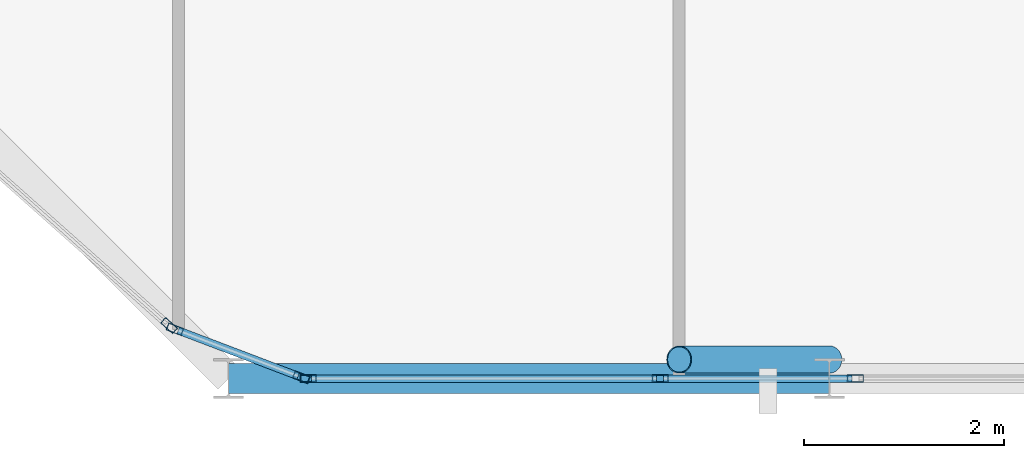
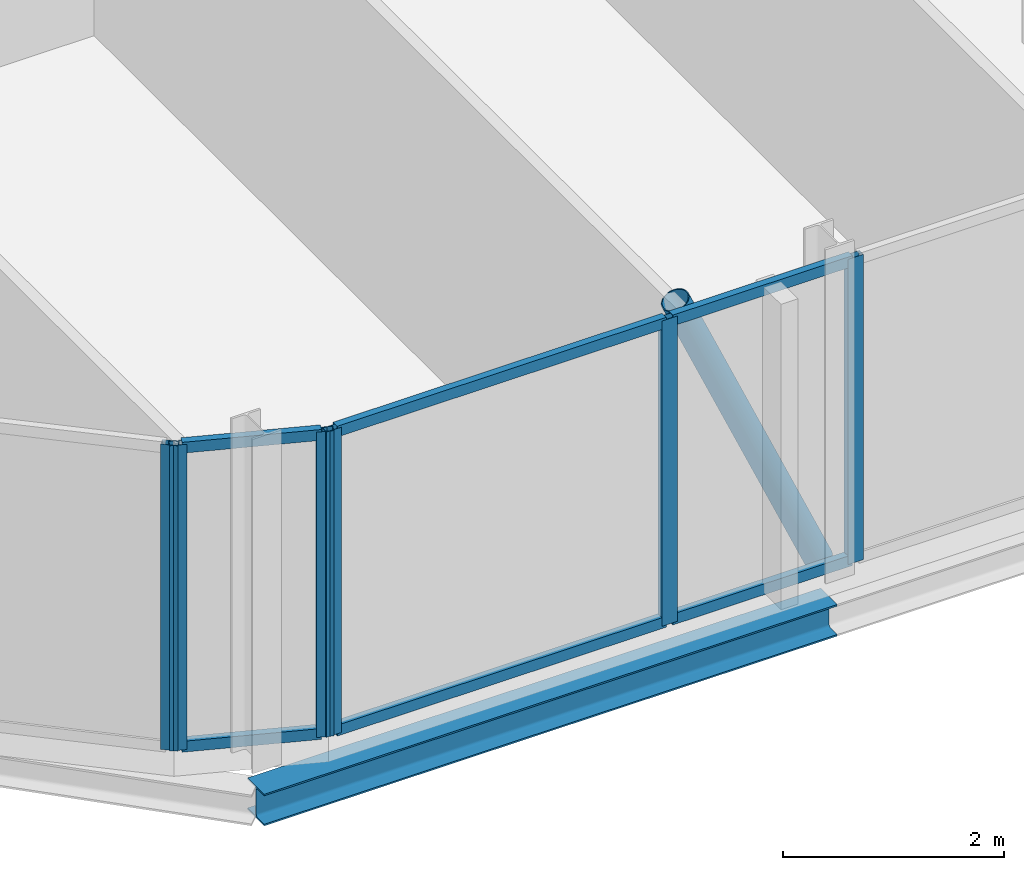
# One storey, part 6 of 27: 13 members, 1 beam, 5 elements without a shape of their own.
"""IFC4 building model written with IfcOpenShell, lengths in metres."""

from ifc_helpers import new_model, si_unit, direction, frame, origin, origin_2d, place, context, subcontext, project, spatial, hollow_rectangle, hollow_circle, i_section, extrude, material, layer, layer_set, material_profile, profile_set, type_object, element, aggregate, save


model = new_model("IFC4")

# Units and contexts
model_context = context("Model", 3, precision=1e-05, world=origin(), true_north=direction((0.0, 1.0)))
body_context = subcontext(model_context, "Body", "Model", "MODEL_VIEW")
ifc_project = project(units=[si_unit("LENGTHUNIT", "METRE"), si_unit("AREAUNIT", "SQUARE_METRE"), si_unit("VOLUMEUNIT", "CUBIC_METRE"), si_unit("PLANEANGLEUNIT", "RADIAN"), si_unit("MASSUNIT", "GRAM", prefix="KILO")], contexts=[model_context])

# Site, building, storey
site_placement = place(None, origin())
site = spatial("IfcSite", under=ifc_project, at=site_placement, CompositionType="ELEMENT")
building_placement = place(site_placement, origin())
building = spatial("IfcBuilding", under=site, at=building_placement, Name="Keshet Zoharim Tower", CompositionType="ELEMENT")
storey_placement = place(building_placement, frame((0.0, 0.0, 295.39990234375)))
storey = spatial("IfcBuildingStorey", under=building, at=storey_placement, Name="L74", CompositionType="ELEMENT", Elevation=295.39990234375)

# Beam
ifc_material_1 = material(Name="Steel S355", Category="steel")
ifc_material_profile_1 = material_profile(ifc_material_1, i_section(OverallWidth=0.300048828125, OverallDepth=0.35009765625, WebThickness=0.010009765625, FlangeThickness=0.017578125, FilletRadius=0.027099609375, at=origin_2d()), Name="HEA360")
ifc_profile_set_1 = profile_set([ifc_material_profile_1], Name="Steel S355")
beam_type = type_object("IfcBeamType", Name="BM-PRI-HA360", PredefinedType="BEAM", material=ifc_profile_set_1)
beam_placement = place(storey_placement, frame((21.0, 6.699951171875, -0.48486328125), z_axis=(1.0, 0.0, 0.0), x_axis=(0.0, 1.0, 0.0)))
element("IfcBeam", 1, at=beam_placement, inside=storey, type_object=beam_type, Name="L74 Primary Girder X-001", PredefinedType="BEAM", context=body_context, shape_type="SweptSolid", body=[
    extrude(i_section(OverallWidth=0.300048828125, OverallDepth=0.35009765625, WebThickness=0.010009765625, FlangeThickness=0.017578125, FilletRadius=0.027099609375, at=origin_2d()), origin(), (0.0, 0.0, 1.0), 6.0),
])

# Curtain wall, member
ifc_material_2 = material(Name="Aluminium 6063-T6", Category="aluminium")
ifc_layer = layer(ifc_material_2, 0.260009765625)
ifc_layer_set = layer_set([ifc_layer], Name="Aluminium 6063-T6")
curtain_wall_type = type_object("IfcCurtainWallType", Name="CW-SYS-06", PredefinedType="NOTDEFINED", material=ifc_layer_set)
curtain_wall_1_placement = place(storey_placement, origin())
curtain_wall_1 = element("IfcCurtainWall", 2, at=curtain_wall_1_placement, inside=storey, type_object=curtain_wall_type, Name="L74 Unitised Curtain Wall 14", PredefinedType="NOTDEFINED")
ifc_material_profile_2 = material_profile(ifc_material_2, hollow_rectangle(XDim=0.074951171875, YDim=0.159912109375, WallThickness=0.00390625, at=origin_2d()), Name="MUL-75x160")
ifc_profile_set_2 = profile_set([ifc_material_profile_2], Name="Aluminium 6063-T6")
member_type_1 = type_object("IfcMemberType", Name="CWM-M15", PredefinedType="MULLION", material=ifc_profile_set_2)
member_1_placement = place(storey_placement, frame((27.259765625, 6.699951171875, 0.0), z_axis=(0.0, 0.0, 1.0), x_axis=(0.0, -1.0, 0.0)))
member_1 = element("IfcMember", 3, at=member_1_placement, type_object=member_type_1, Name="CW-06 mullion 2", PredefinedType="MULLION", context=body_context, shape_type="SweptSolid", body=[
    extrude(hollow_rectangle(XDim=0.074951171875, YDim=0.159912109375, WallThickness=0.00390625, at=origin_2d()), origin(), (0.0, 0.0, 1.0), 3.380126953125),
])
aggregate(curtain_wall_1, [member_1])

curtain_wall_2_placement = place(storey_placement, origin())
curtain_wall_2 = element("IfcCurtainWall", 4, at=curtain_wall_2_placement, inside=storey, type_object=curtain_wall_type, Name="L74 Unitised Curtain Wall 14 Part 2", PredefinedType="NOTDEFINED")
member_2_placement = place(storey_placement, frame((25.310302734375, 6.699951171875, 0.0), z_axis=(0.0, 0.0, 1.0), x_axis=(0.0, -1.0, 0.0)))
member_2 = element("IfcMember", 5, at=member_2_placement, type_object=member_type_1, Name="CW-06 mullion 2", PredefinedType="MULLION", context=body_context, shape_type="SweptSolid", body=[
    extrude(hollow_rectangle(XDim=0.074951171875, YDim=0.159912109375, WallThickness=0.00390625, at=origin_2d()), origin(), (0.0, 0.0, 1.0), 3.380126953125),
])

curtain_wall_3_placement = place(storey_placement, origin())
curtain_wall_3 = element("IfcCurtainWall", 6, at=curtain_wall_3_placement, inside=storey, type_object=curtain_wall_type, Name="L74 Unitised Curtain Wall 14 Part 3", PredefinedType="NOTDEFINED")
member_3_placement = place(storey_placement, frame((21.794921875, 6.699951171875, 0.0), z_axis=(0.0, 0.0, 1.0), x_axis=(0.0, -1.0, 0.0)))
member_3 = element("IfcMember", 7, at=member_3_placement, type_object=member_type_1, Name="CW-06 mullion 2", PredefinedType="MULLION", context=body_context, shape_type="SweptSolid", body=[
    extrude(hollow_rectangle(XDim=0.074951171875, YDim=0.159912109375, WallThickness=0.00390625, at=origin_2d()), origin(), (0.0, 0.0, 1.0), 3.380126953125),
])

# Curtain wall, members
curtain_wall_4_placement = place(storey_placement, origin())
curtain_wall_4 = element("IfcCurtainWall", 8, at=curtain_wall_4_placement, inside=storey, type_object=curtain_wall_type, Name="L74 Unitised Curtain Wall 15", PredefinedType="NOTDEFINED")
member_4_placement = place(storey_placement, frame((21.727294921875, 6.71240234375, 0.0), z_axis=(0.0, 0.0, 1.0), x_axis=(-0.355439161326, -0.934699418314, 0.0)))
member_4 = element("IfcMember", 9, at=member_4_placement, type_object=member_type_1, Name="CW-06 mullion 1", PredefinedType="MULLION", context=body_context, shape_type="SweptSolid", body=[
    extrude(hollow_rectangle(XDim=0.074951171875, YDim=0.159912109375, WallThickness=0.00390625, at=origin_2d()), origin(), (0.0, 0.0, 1.0), 3.380126953125),
])
member_5_placement = place(storey_placement, frame((20.464599609375, 7.192626953125, 0.0), z_axis=(0.0, 0.0, 1.0), x_axis=(-0.355439161326, -0.934699418314, 0.0)))
member_5 = element("IfcMember", 10, at=member_5_placement, type_object=member_type_1, Name="CW-06 mullion 2", PredefinedType="MULLION", context=body_context, shape_type="SweptSolid", body=[
    extrude(hollow_rectangle(XDim=0.074951171875, YDim=0.159912109375, WallThickness=0.00390625, at=origin_2d()), origin(), (0.0, 0.0, 1.0), 3.380126953125),
])

# Curtain wall, member
curtain_wall_5_placement = place(storey_placement, origin())
curtain_wall_5 = element("IfcCurtainWall", 11, at=curtain_wall_5_placement, inside=storey, type_object=curtain_wall_type, Name="L74 Unitised Curtain Wall 16", PredefinedType="NOTDEFINED")
member_6_placement = place(storey_placement, frame((20.40576171875, 7.228271484375, 0.0), z_axis=(0.0, 0.0, 1.0), x_axis=(-0.664362180559, -0.747410792699, 0.0)))
member_6 = element("IfcMember", 12, at=member_6_placement, type_object=member_type_1, Name="CW-06 mullion 1", PredefinedType="MULLION", context=body_context, shape_type="SweptSolid", body=[
    extrude(hollow_rectangle(XDim=0.074951171875, YDim=0.159912109375, WallThickness=0.00390625, at=origin_2d()), origin(), (0.0, 0.0, 1.0), 3.380126953125),
])
aggregate(curtain_wall_5, [member_6])

# Member
ifc_material_profile_3 = material_profile(ifc_material_2, hollow_rectangle(XDim=0.074951171875, YDim=0.1201171875, WallThickness=0.00390625, at=origin_2d()), Name="TRN-75x120")
ifc_profile_set_3 = profile_set([ifc_material_profile_3], Name="Aluminium 6063-T6")
member_type_2 = type_object("IfcMemberType", Name="CWT-T12", PredefinedType="USERDEFINED", material=ifc_profile_set_3)
member_7_placement = place(storey_placement, frame((27.224853515625, 6.699951171875, 0.03515625), z_axis=(-1.0, 0.0, 0.0), x_axis=(0.0, -1.0, 0.0)))
member_7 = element("IfcMember", 13, at=member_7_placement, type_object=member_type_2, Name="CW-06 transom 1.1", ObjectType="TRANSOM", PredefinedType="USERDEFINED", context=body_context, shape_type="SweptSolid", body=[
    extrude(hollow_rectangle(XDim=0.074951171875, YDim=0.1201171875, WallThickness=0.00390625, at=origin_2d()), origin(), (0.0, 0.0, 1.0), 1.879638671875),
])

member_8_placement = place(storey_placement, frame((27.224853515625, 6.699951171875, 3.34521484375), z_axis=(-1.0, 0.0, 0.0), x_axis=(0.0, -1.0, 0.0)))
member_8 = element("IfcMember", 14, at=member_8_placement, type_object=member_type_2, Name="CW-06 transom 1.2", ObjectType="TRANSOM", PredefinedType="USERDEFINED", context=body_context, shape_type="SweptSolid", body=[
    extrude(hollow_rectangle(XDim=0.074951171875, YDim=0.1201171875, WallThickness=0.00390625, at=origin_2d()), origin(), (0.0, 0.0, 1.0), 1.879638671875),
])

aggregate(curtain_wall_2, [member_2, member_7, member_8])

member_9_placement = place(storey_placement, frame((25.275146484375, 6.699951171875, 0.03515625), z_axis=(-1.0, 0.0, 0.0), x_axis=(0.0, -1.0, 0.0)))
member_9 = element("IfcMember", 15, at=member_9_placement, type_object=member_type_2, Name="CW-06 transom 1.1", ObjectType="TRANSOM", PredefinedType="USERDEFINED", context=body_context, shape_type="SweptSolid", body=[
    extrude(hollow_rectangle(XDim=0.074951171875, YDim=0.1201171875, WallThickness=0.00390625, at=origin_2d()), origin(), (0.0, 0.0, 1.0), 3.445068359375),
])

member_10_placement = place(storey_placement, frame((25.275146484375, 6.699951171875, 3.34521484375), z_axis=(-1.0, 0.0, 0.0), x_axis=(0.0, -1.0, 0.0)))
member_10 = element("IfcMember", 16, at=member_10_placement, type_object=member_type_2, Name="CW-06 transom 1.2", ObjectType="TRANSOM", PredefinedType="USERDEFINED", context=body_context, shape_type="SweptSolid", body=[
    extrude(hollow_rectangle(XDim=0.074951171875, YDim=0.1201171875, WallThickness=0.00390625, at=origin_2d()), origin(), (0.0, 0.0, 1.0), 3.445068359375),
])

aggregate(curtain_wall_3, [member_3, member_9, member_10])

member_11_placement = place(storey_placement, frame((21.694580078125, 6.724853515625, 0.03515625), z_axis=(-0.934689881536, 0.355464239206, 0.0), x_axis=(-0.355464239206, -0.934689881536, 0.0)))
member_11 = element("IfcMember", 17, at=member_11_placement, type_object=member_type_2, Name="CW-06 transom 1.1", ObjectType="TRANSOM", PredefinedType="USERDEFINED", context=body_context, shape_type="SweptSolid", body=[
    extrude(hollow_rectangle(XDim=0.074951171875, YDim=0.1201171875, WallThickness=0.00390625, at=origin_2d()), origin(), (0.0, 0.0, 1.0), 1.281005859375),
])

member_12_placement = place(storey_placement, frame((21.694580078125, 6.724853515625, 3.34521484375), z_axis=(-0.934689881536, 0.355464239206, 0.0), x_axis=(-0.355464239206, -0.934689881536, 0.0)))
member_12 = element("IfcMember", 18, at=member_12_placement, type_object=member_type_2, Name="CW-06 transom 1.2", ObjectType="TRANSOM", PredefinedType="USERDEFINED", context=body_context, shape_type="SweptSolid", body=[
    extrude(hollow_rectangle(XDim=0.074951171875, YDim=0.1201171875, WallThickness=0.00390625, at=origin_2d()), origin(), (0.0, 0.0, 1.0), 1.281005859375),
])

aggregate(curtain_wall_4, [member_4, member_5, member_11, member_12])

ifc_material_profile_4 = material_profile(ifc_material_1, hollow_circle(Radius=0.136474609375, WallThickness=0.010009765625, at=origin_2d()), Name="CHS273x10")
ifc_profile_set_4 = profile_set([ifc_material_profile_4], Name="Steel S355")
member_type_3 = type_object("IfcMemberType", Name="MB-BR-C273", PredefinedType="BRACE", material=ifc_profile_set_4)
member_13_placement = place(storey_placement, frame((27.0, 6.889892578125, 0.0), z_axis=(-0.405623857875, 0.0, 0.914040089888), x_axis=(0.0, -1.0, 0.0)))
element("IfcMember", 19, at=member_13_placement, inside=storey, type_object=member_type_3, Name="L74 Perimeter Tube Brace 02", PredefinedType="BRACE", context=body_context, shape_type="SweptSolid", body=[
    extrude(hollow_circle(Radius=0.136474609375, WallThickness=0.010009765625, at=origin_2d()), origin(), (0.0, 0.0, 1.0), 3.697998046875),
])

save(model, "model.ifc")
